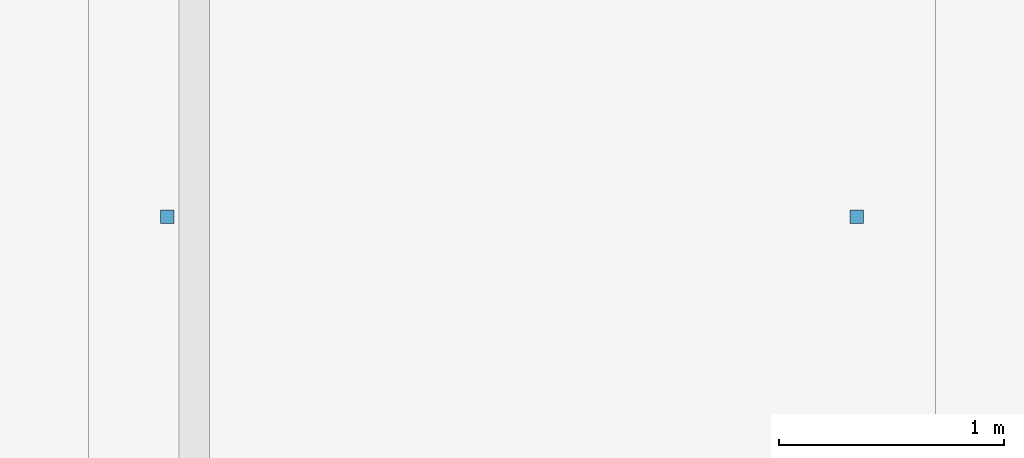
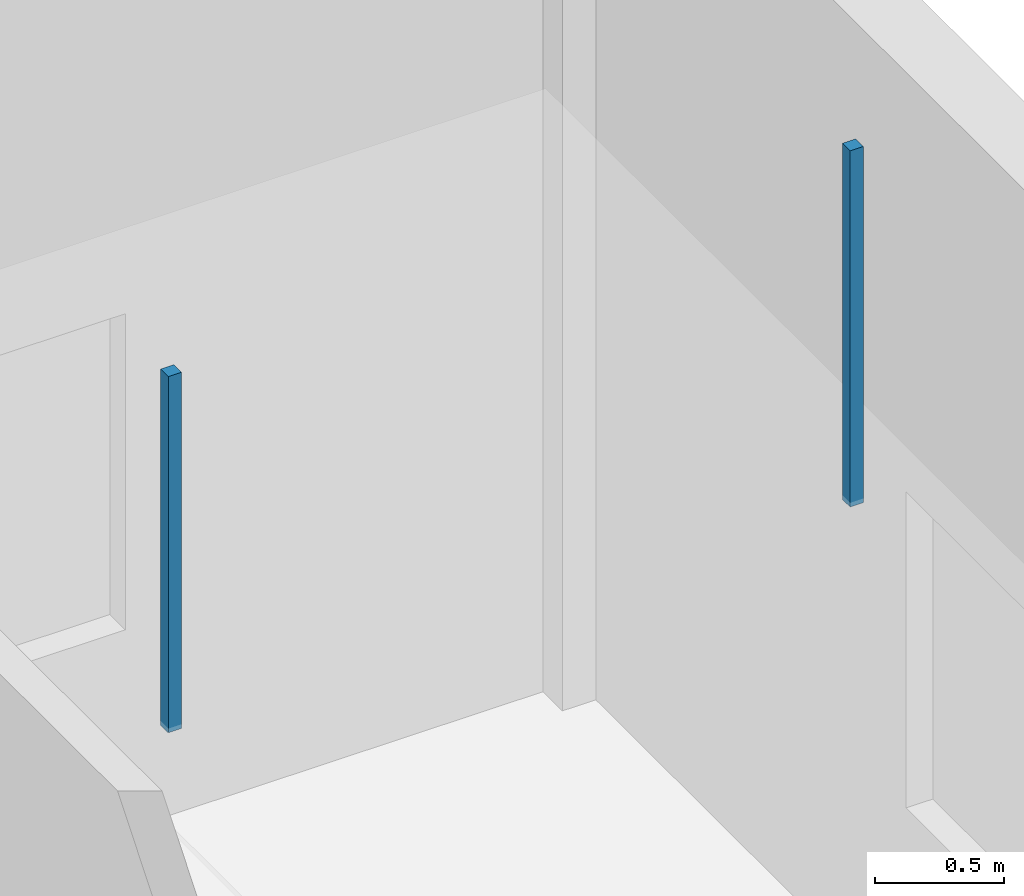
# One storey, part 100 of 126: 2 discrete accessories.
"""IFC4 building model written with IfcOpenShell, lengths in metres."""

from ifc_helpers import new_model, si_unit, direction, frame, origin, origin_2d, place, context, subcontext, project, spatial, rectangle, extrude, material, type_object, element, save


model = new_model("IFC4")

# Units and contexts
model_context = context("Model", 3, precision=1e-05, world=origin(), true_north=direction((0.0, 1.0)))
body_context = subcontext(model_context, "Body", "Model", "MODEL_VIEW")
ifc_project = project(units=[si_unit("LENGTHUNIT", "METRE"), si_unit("AREAUNIT", "SQUARE_METRE"), si_unit("VOLUMEUNIT", "CUBIC_METRE"), si_unit("PLANEANGLEUNIT", "RADIAN"), si_unit("MASSUNIT", "GRAM", prefix="KILO")], contexts=[model_context])

# Site, building, storey
site_placement = place(None, origin())
site = spatial("IfcSite", under=ifc_project, at=site_placement, CompositionType="ELEMENT")
building_placement = place(site_placement, origin())
building = spatial("IfcBuilding", under=site, at=building_placement, Name="Khelvaren Railside Concert Hall", CompositionType="ELEMENT")
storey_placement = place(building_placement, origin())
storey = spatial("IfcBuildingStorey", under=building, at=storey_placement, Name="L00", CompositionType="ELEMENT", Elevation=0.0)

# Discrete accessories
ifc_material = material(Name="Galvanised steel acoustic ceiling hanger rod", Category="steel")
discrete_accessory_type = type_object("IfcDiscreteAccessoryType", Name="BRK62", PredefinedType="BRACKET", material=ifc_material)
for number, where, z_axis, x_axis, name in (
    (1, (179.8798828125, 110.125, 3.429931640625), (0.0, 0.0, 1.0), (1.0, 0.0, 0.0), "Acoustic Ceiling Suspension Bracket 135-1"),
    (2, (182.93994140625, 110.125, 3.429931640625), (0.0, 0.0, 1.0), (1.0, 0.0, 0.0), "Acoustic Ceiling Suspension Bracket 135-2"),
):
    element("IfcDiscreteAccessory", number, at=place(storey_placement, frame(where, z_axis=z_axis, x_axis=x_axis)), inside=storey, type_object=discrete_accessory_type, Name=name, PredefinedType="BRACKET", context=body_context, shape_type="SweptSolid", body=[
        extrude(rectangle(XDim=0.06005859375, YDim=0.06005859375, at=origin_2d()), origin(), (0.0, 0.0, 1.0), 1.68994140625),
    ])

save(model, "model.ifc")
